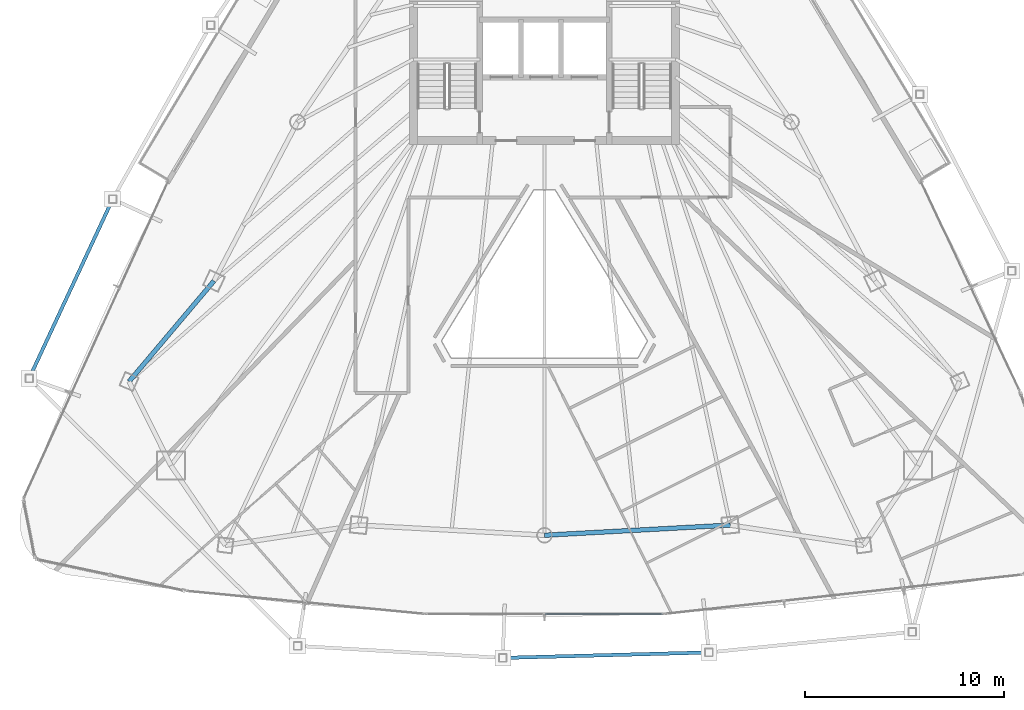
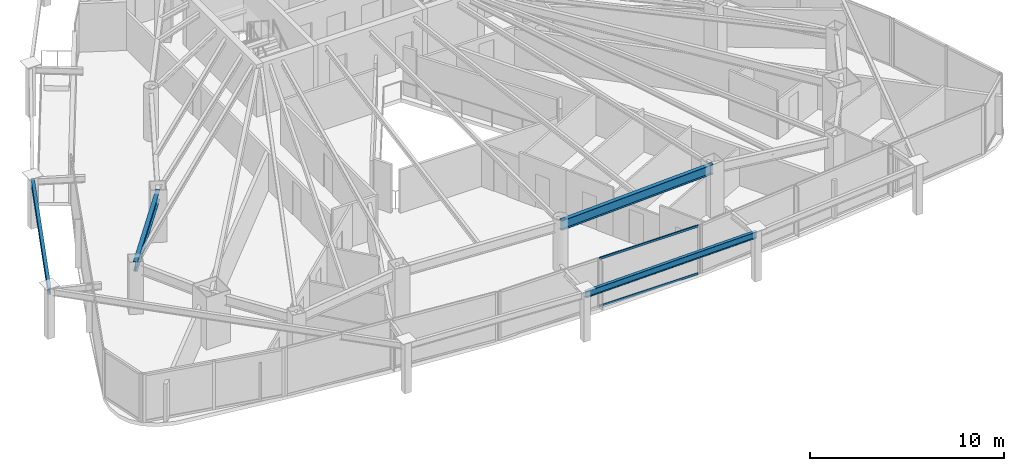
# One storey, part 8 of 31: 4 beams, 2 members, 1 element without a shape of its own.
"""IFC4 building model written with IfcOpenShell, lengths in metres."""

from ifc_helpers import new_model, si_unit, direction, frame, origin, origin_2d, place, context, subcontext, project, spatial, hollow_rectangle, i_section, extrude, material, layer, layer_set, material_profile, profile_set, type_object, element, aggregate, save


model = new_model("IFC4")

# Units and contexts
model_context = context("Model", 3, precision=1e-05, world=origin(), true_north=direction((0.0, 1.0)))
body_context = subcontext(model_context, "Body", "Model", "MODEL_VIEW")
ifc_project = project(units=[si_unit("LENGTHUNIT", "METRE"), si_unit("AREAUNIT", "SQUARE_METRE"), si_unit("VOLUMEUNIT", "CUBIC_METRE"), si_unit("PLANEANGLEUNIT", "RADIAN"), si_unit("MASSUNIT", "GRAM", prefix="KILO")], contexts=[model_context])

# Site, building, storey
site_placement = place(None, origin())
site = spatial("IfcSite", under=ifc_project, at=site_placement, CompositionType="ELEMENT")
building_placement = place(site_placement, origin())
building = spatial("IfcBuilding", under=site, at=building_placement, Name="Orvanel Arch Residences", CompositionType="ELEMENT")
storey_placement = place(building_placement, frame((0.0, 0.0, 113.300048828125)))
storey = spatial("IfcBuildingStorey", under=building, at=storey_placement, Name="L31", CompositionType="ELEMENT", Elevation=113.300048828125)

# Beams
ifc_material_1 = material(Name="Structural steel AS/NZS 3679.1 Grade 300 (300 MPa)", Category="steel")
ifc_material_profile_1 = material_profile(ifc_material_1, i_section(OverallWidth=0.177978515625, OverallDepth=0.406005859375, WebThickness=0.0078125, FlangeThickness=0.0126953125, at=origin_2d()), Name="410UB59.7")
ifc_profile_set_1 = profile_set([ifc_material_profile_1], Name="Structural steel AS/NZS 3679.1 Grade 300 (300 MPa)")
beam_type_1 = type_object("IfcBeamType", Name="OB-410UB-EXT", PredefinedType="SPANDREL", material=ifc_profile_set_1)
beam_1_placement = place(storey_placement, frame((11.27001953125, 23.760986328125, 2.85693359375), z_axis=(-0.42237782372, -0.906419866303, 0.0), x_axis=(0.906419866303, -0.42237782372, 0.0)))
element("IfcBeam", 1, at=beam_1_placement, inside=storey, type_object=beam_type_1, Name="L31 Outer Perimeter Floor Ring Beam 03", PredefinedType="SPANDREL", context=body_context, shape_type="SweptSolid", body=[
    extrude(i_section(OverallWidth=0.177978515625, OverallDepth=0.406005859375, WebThickness=0.0078125, FlangeThickness=0.0126953125, at=origin_2d()), origin(), (0.0, 0.0, 1.0), 9.953369140625),
])
beam_2_placement = place(storey_placement, frame((30.903076171875, 0.6708984375, 2.85693359375), z_axis=(0.999648245167, 0.026521424052, 0.0), x_axis=(-0.026521424052, 0.999648245167, 0.0)))
element("IfcBeam", 2, at=beam_2_placement, inside=storey, type_object=beam_type_1, Name="L31 Outer Perimeter Floor Ring Beam 06", PredefinedType="SPANDREL", context=body_context, shape_type="SweptSolid", body=[
    extrude(i_section(OverallWidth=0.177978515625, OverallDepth=0.406005859375, WebThickness=0.0078125, FlangeThickness=0.0126953125, at=origin_2d()), origin(), (0.0, 0.0, 1.0), 10.37451171875),
])
ifc_material_profile_2 = material_profile(ifc_material_1, i_section(OverallWidth=0.22900390625, OverallDepth=0.612060546875, WebThickness=0.011962890625, FlangeThickness=0.01953125, at=origin_2d()), Name="610UB125")
ifc_profile_set_2 = profile_set([ifc_material_profile_2], Name="Structural steel AS/NZS 3679.1 Grade 300 (300 MPa)")
beam_type_2 = type_object("IfcBeamType", Name="SP-610UB", PredefinedType="SPANDREL", material=ifc_profile_set_2)
beam_3_placement = place(storey_placement, frame((16.366943359375, 19.64208984375, 2.75390625), z_axis=(-0.644950329775, -0.764224490659, 0.0), x_axis=(0.764224490659, -0.644950329775, 0.0)))
element("IfcBeam", 3, at=beam_3_placement, inside=storey, type_object=beam_type_2, Name="L31 Perimeter Spandrel Beam 01", PredefinedType="SPANDREL", context=body_context, shape_type="SweptSolid", body=[
    extrude(i_section(OverallWidth=0.22900390625, OverallDepth=0.612060546875, WebThickness=0.011962890625, FlangeThickness=0.01953125, at=origin_2d()), origin(), (0.0, 0.0, 1.0), 6.623779296875),
])
beam_4_placement = place(storey_placement, frame((33.0, 6.843994140625, 2.75390625), z_axis=(0.998510315598, 0.054563262768, 0.0), x_axis=(-0.054563262768, 0.998510315598, 0.0)))
element("IfcBeam", 4, at=beam_4_placement, inside=storey, type_object=beam_type_2, Name="L31 Perimeter Spandrel Beam 06", PredefinedType="SPANDREL", context=body_context, shape_type="SweptSolid", body=[
    extrude(i_section(OverallWidth=0.22900390625, OverallDepth=0.612060546875, WebThickness=0.011962890625, FlangeThickness=0.01953125, at=origin_2d()), origin(), (0.0, 0.0, 1.0), 9.364990234375),
])

# Curtain wall, members
ifc_material_2 = material(Name="Bronze-anodised aluminium AA6063-T6", Category="aluminium")
ifc_layer = layer(ifc_material_2, 0.179931640625)
ifc_layer_set = layer_set([ifc_layer], Name="Bronze-anodised aluminium AA6063-T6")
curtain_wall_type = type_object("IfcCurtainWallType", Name="CW3-MID-SYS", PredefinedType="NOTDEFINED", material=ifc_layer_set)
curtain_wall_placement = place(storey_placement, origin())
curtain_wall = element("IfcCurtainWall", 5, at=curtain_wall_placement, inside=storey, type_object=curtain_wall_type, Name="L31 CW3-MID-SYS Unitised Curtain Wall", PredefinedType="NOTDEFINED")
ifc_material_profile_3 = material_profile(ifc_material_2, hollow_rectangle(XDim=0.06005859375, YDim=0.135009765625, WallThickness=0.00390625, at=origin_2d()), Name="ALU135x60x4")
ifc_profile_set_3 = profile_set([ifc_material_profile_3], Name="Bronze-anodised aluminium AA6063-T6")
member_type = type_object("IfcMemberType", Name="TRN-135x60", PredefinedType="USERDEFINED", material=ifc_profile_set_3)
member_1_placement = place(storey_placement, frame((33.034912109375, 2.87890625, 0.030029296875), z_axis=(1.0, 0.0, 0.0), x_axis=(0.0, 1.0, 0.0)))
member_1 = element("IfcMember", 6, at=member_1_placement, type_object=member_type, Name="CW-S3 transom 2.1", ObjectType="TRANSOM", PredefinedType="USERDEFINED", context=body_context, shape_type="SweptSolid", body=[
    extrude(hollow_rectangle(XDim=0.06005859375, YDim=0.135009765625, WallThickness=0.00390625, at=origin_2d()), origin(), (0.0, 0.0, 1.0), 5.898193359375),
])
member_2_placement = place(storey_placement, frame((33.034912109375, 2.87890625, 3.030029296875), z_axis=(1.0, 0.0, 0.0), x_axis=(0.0, 1.0, 0.0)))
member_2 = element("IfcMember", 7, at=member_2_placement, type_object=member_type, Name="CW-S3 transom 2.2", ObjectType="TRANSOM", PredefinedType="USERDEFINED", context=body_context, shape_type="SweptSolid", body=[
    extrude(hollow_rectangle(XDim=0.06005859375, YDim=0.135009765625, WallThickness=0.00390625, at=origin_2d()), origin(), (0.0, 0.0, 1.0), 5.898193359375),
])
aggregate(curtain_wall, [member_1, member_2])

save(model, "model.ifc")
